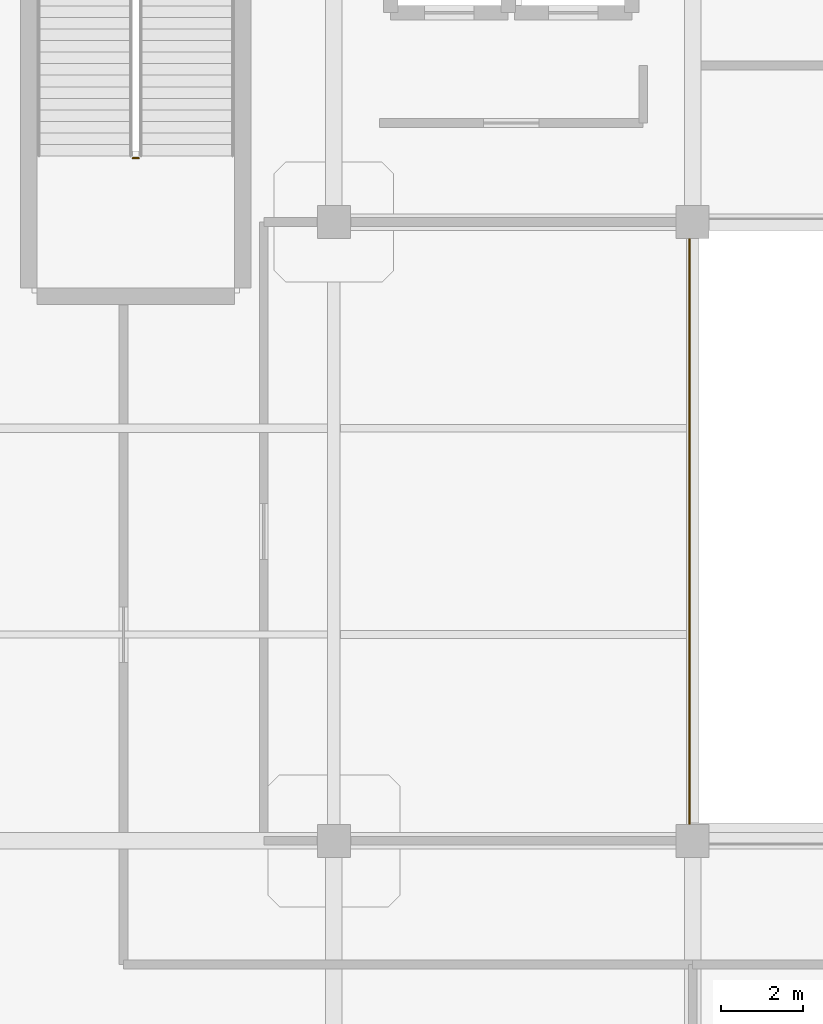
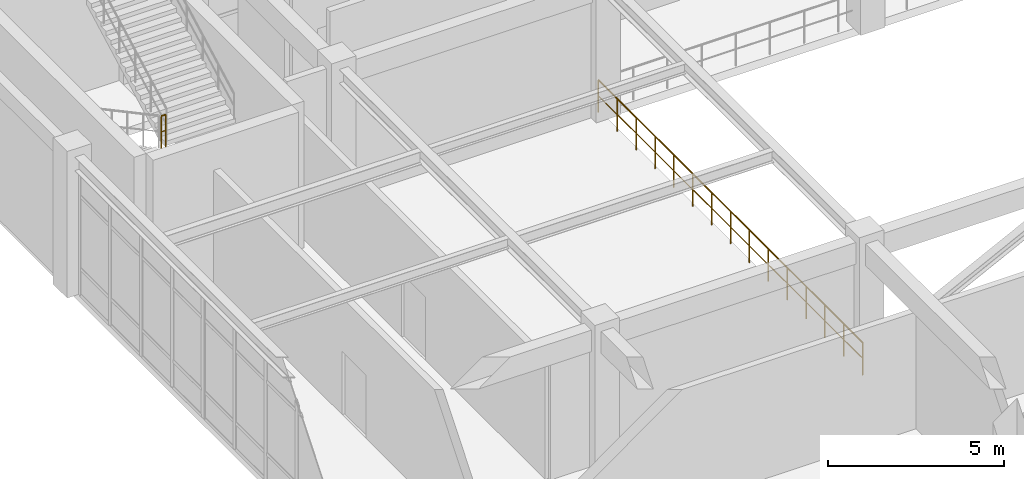
# One storey, part 88 of 96: 2 railings.
"""IFC4 building model written with IfcOpenShell, lengths in metres."""

from ifc_helpers import new_model, si_unit, derived_unit, direction, frame, origin, origin_2d, place, context, subcontext, project, spatial, circle, extrude, material, type_object, element, save


model = new_model("IFC4")

# Units and contexts
model_context = context("Model", 3, precision=1e-05, world=origin(), true_north=direction((0.0, 1.0)))
body_context = subcontext(model_context, "Body", "Model", "MODEL_VIEW")
ifc_project = project(units=[si_unit("LENGTHUNIT", "METRE"), si_unit("AREAUNIT", "SQUARE_METRE"), si_unit("VOLUMEUNIT", "CUBIC_METRE"), si_unit("PLANEANGLEUNIT", "RADIAN"), si_unit("MASSUNIT", "GRAM", prefix="KILO"), derived_unit("THERMALTRANSMITTANCEUNIT", [(si_unit("MASSUNIT", "GRAM", prefix="KILO"), 1), (si_unit("TIMEUNIT", "SECOND"), -3), (si_unit("THERMODYNAMICTEMPERATUREUNIT", "KELVIN"), -1)])], contexts=[model_context])

# Site, building, storey
site_placement = place(None, origin())
site = spatial("IfcSite", under=ifc_project, at=site_placement, CompositionType="ELEMENT")
building_placement = place(site_placement, origin())
building = spatial("IfcBuilding", under=site, at=building_placement, Name="Qinzheling Arcade Emporium", CompositionType="ELEMENT")
storey_placement = place(building_placement, frame((0.0, 0.0, 21.60009765625)))
storey = spatial("IfcBuildingStorey", under=building, at=storey_placement, Name="L05", CompositionType="ELEMENT", Elevation=21.60009765625)

# Railings
ifc_material = material(Name="Galvanised powder-coated tubular steel", Category="steel")
railing_type = type_object("IfcRailingType", Name="Painted Steel Stairwell Guard Railing 1150", PredefinedType="GUARDRAIL", material=ifc_material)
railing_1_placement = place(storey_placement, frame((38.6201171875, 66.949951171875, 2.5498046875)))
element("IfcRailing", 1, at=railing_1_placement, inside=storey, type_object=railing_type, Name="L05 ST03 stair guard 2", PredefinedType="GUARDRAIL", context=body_context, shape_type="SweptSolid", body=[
    extrude(circle(Radius=0.02392578125, at=origin_2d()), frame((0.0, 0.0, 1.1259765625), z_axis=(1.0, 0.0, 0.0), x_axis=(0.0, 1.0, 0.0)), (0.0, 0.0, 1.0), 0.14990234375),
    extrude(circle(Radius=0.01611328125, at=origin_2d()), frame((0.0, 0.0, 0.574951171875), z_axis=(1.0, 0.0, 0.0), x_axis=(0.0, 1.0, 0.0)), (0.0, 0.0, 1.0), 0.14990234375),
    extrude(circle(Radius=0.02099609375, at=origin_2d()), origin(), (0.0, 0.0, 1.0), 1.101806640625),
    extrude(circle(Radius=0.02099609375, at=origin_2d()), frame((0.14990234375, 0.0, 0.0)), (0.0, 0.0, 1.0), 1.101806640625),
])
railing_2_placement = place(storey_placement, frame((52.1201171875, 50.3701171875, 0.0)))
element("IfcRailing", 2, at=railing_2_placement, inside=storey, type_object=railing_type, Name="Atrium Void Guard L05 W", PredefinedType="GUARDRAIL", context=body_context, shape_type="SweptSolid", body=[
    extrude(circle(Radius=0.02392578125, at=origin_2d()), frame((0.0, 0.0, 1.1259765625), z_axis=(0.0, 1.0, 0.0), x_axis=(-1.0, 0.0, 0.0)), (0.0, 0.0, 1.0), 15.059814453125),
    extrude(circle(Radius=0.01611328125, at=origin_2d()), frame((0.0, 0.0, 0.574951171875), z_axis=(0.0, 1.0, 0.0), x_axis=(-1.0, 0.0, 0.0)), (0.0, 0.0, 1.0), 15.059814453125),
    extrude(circle(Radius=0.02099609375, at=origin_2d()), origin(), (0.0, 0.0, 1.0), 1.101806640625),
    extrude(circle(Radius=0.02099609375, at=origin_2d()), frame((0.0, 1.07568359375, 0.0)), (0.0, 0.0, 1.0), 1.101806640625),
    extrude(circle(Radius=0.02099609375, at=origin_2d()), frame((0.0, 2.1513671875, 0.0)), (0.0, 0.0, 1.0), 1.101806640625),
    extrude(circle(Radius=0.02099609375, at=origin_2d()), frame((0.0, 3.22705078125, 0.0)), (0.0, 0.0, 1.0), 1.101806640625),
    extrude(circle(Radius=0.02099609375, at=origin_2d()), frame((0.0, 4.302734375, 0.0)), (0.0, 0.0, 1.0), 1.101806640625),
    extrude(circle(Radius=0.02099609375, at=origin_2d()), frame((0.0, 5.37841796875, 0.0)), (0.0, 0.0, 1.0), 1.101806640625),
    extrude(circle(Radius=0.02099609375, at=origin_2d()), frame((0.0, 6.4541015625, 0.0)), (0.0, 0.0, 1.0), 1.101806640625),
    extrude(circle(Radius=0.02099609375, at=origin_2d()), frame((0.0, 7.52978515625, 0.0)), (0.0, 0.0, 1.0), 1.101806640625),
    extrude(circle(Radius=0.02099609375, at=origin_2d()), frame((0.0, 8.605712890625, 0.0)), (0.0, 0.0, 1.0), 1.101806640625),
    extrude(circle(Radius=0.02099609375, at=origin_2d()), frame((0.0, 9.681396484375, 0.0)), (0.0, 0.0, 1.0), 1.101806640625),
    extrude(circle(Radius=0.02099609375, at=origin_2d()), frame((0.0, 10.757080078125, 0.0)), (0.0, 0.0, 1.0), 1.101806640625),
    extrude(circle(Radius=0.02099609375, at=origin_2d()), frame((0.0, 11.832763671875, 0.0)), (0.0, 0.0, 1.0), 1.101806640625),
    extrude(circle(Radius=0.02099609375, at=origin_2d()), frame((0.0, 12.908447265625, 0.0)), (0.0, 0.0, 1.0), 1.101806640625),
    extrude(circle(Radius=0.02099609375, at=origin_2d()), frame((0.0, 13.984130859375, 0.0)), (0.0, 0.0, 1.0), 1.101806640625),
    extrude(circle(Radius=0.02099609375, at=origin_2d()), frame((0.0, 15.059814453125, 0.0)), (0.0, 0.0, 1.0), 1.101806640625),
])

save(model, "model.ifc")
